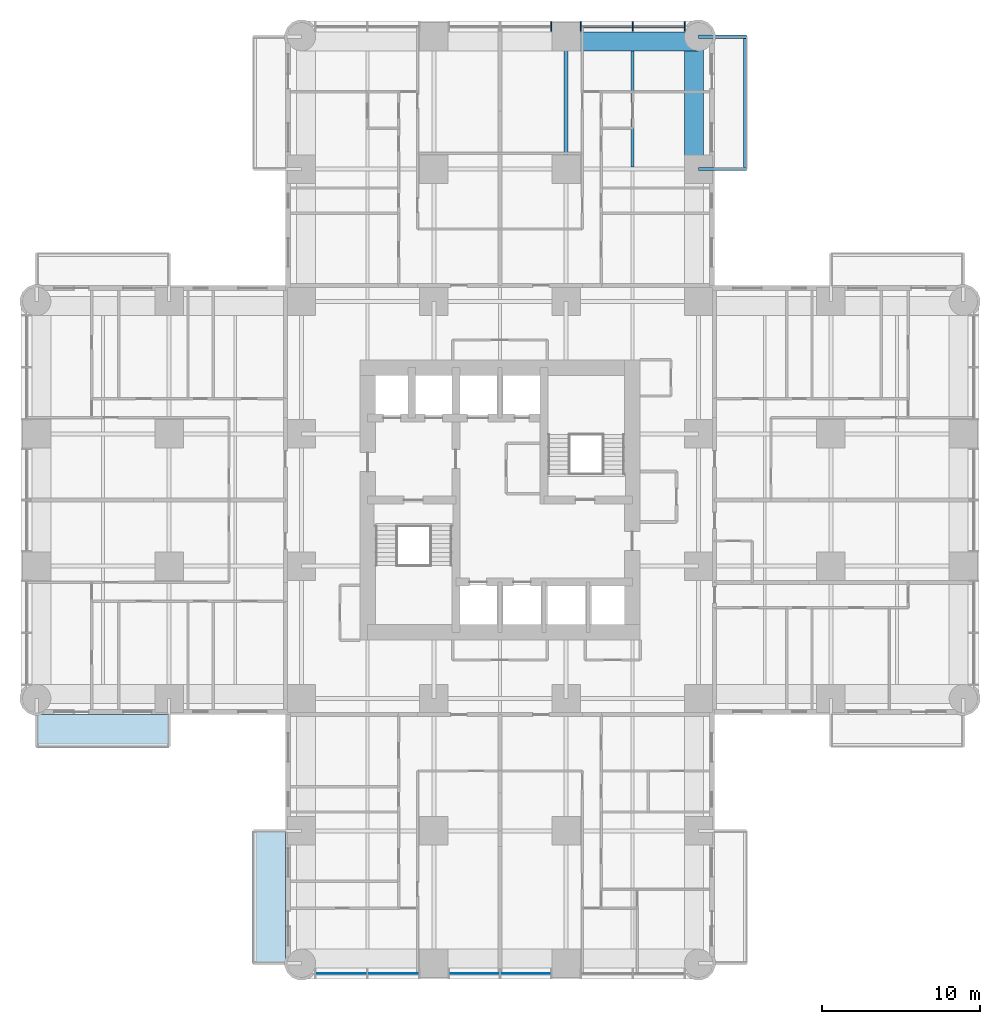
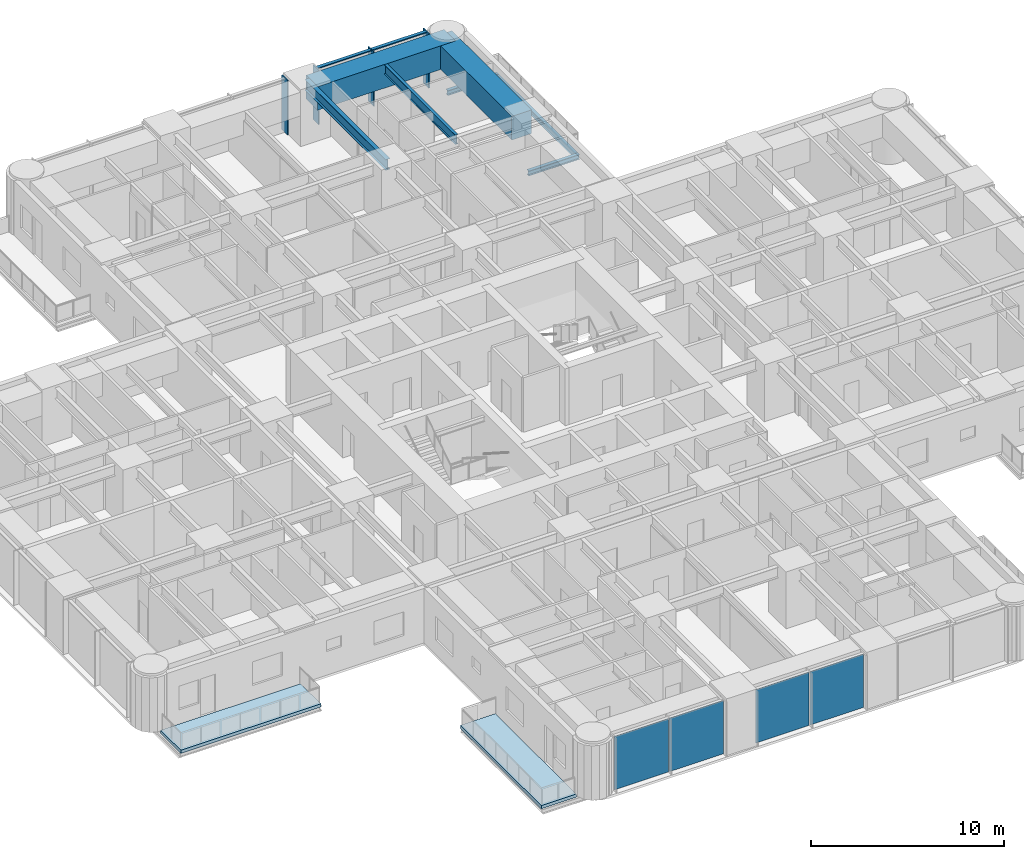
# One storey, part 5 of 17: 7 beams, 6 members, 4 plates, 2 slabs, 2 elements without a shape of their own.
"""IFC4 building model written with IfcOpenShell, lengths in metres."""

from ifc_helpers import new_model, si_unit, direction, frame, origin, origin_2d, place, context, subcontext, project, spatial, polyline, rectangle, i_section, outline, extrude, material, layer, layer_set, material_profile, profile_set, type_object, element, aggregate, save


model = new_model("IFC4")

# Units and contexts
model_context = context("Model", 3, precision=1e-05, world=origin(), true_north=direction((0.0, 1.0)))
body_context = subcontext(model_context, "Body", "Model", "MODEL_VIEW")
ifc_project = project(units=[si_unit("LENGTHUNIT", "METRE"), si_unit("AREAUNIT", "SQUARE_METRE"), si_unit("VOLUMEUNIT", "CUBIC_METRE"), si_unit("PLANEANGLEUNIT", "RADIAN"), si_unit("MASSUNIT", "GRAM", prefix="KILO")], contexts=[model_context])

# Site, building, storey
site_placement = place(None, origin())
site = spatial("IfcSite", under=ifc_project, at=site_placement, CompositionType="ELEMENT")
building_placement = place(site_placement, origin())
building = spatial("IfcBuilding", under=site, at=building_placement, Name="Torre Alcanfor", CompositionType="ELEMENT")
storey_placement = place(building_placement, frame((0.0, 0.0, 56.10009765625)))
storey = spatial("IfcBuildingStorey", under=building, at=storey_placement, Name="L13", CompositionType="ELEMENT", Elevation=56.10009765625)

# Beams
ifc_material_1 = material(Name="Steel ASTM A992 Grade 50", Category="steel")
ifc_material_profile_1 = material_profile(ifc_material_1, i_section(OverallWidth=0.205322265625, OverallDepth=0.309814453125, WebThickness=0.00927734375, FlangeThickness=0.016357421875, at=origin_2d()), Name="W12x50")
ifc_profile_set_1 = profile_set([ifc_material_profile_1], Name="Steel ASTM A992 Grade 50")
beam_type_1 = type_object("IfcBeamType", Name="Balcony cantilever beam W12x50", PredefinedType="BEAM", material=ifc_profile_set_1)
for number, where, z_axis, x_axis, name in (
    (1, (42.0, 50.39990234375, -0.35498046875), (1.0, 0.0, 0.0), (0.0, 1.0, 0.0), "Balcony cantilever beam L13-N2 1"),
    (2, (42.0, 58.800048828125, -0.35498046875), (1.0, 0.0, 0.0), (0.0, 1.0, 0.0), "Balcony cantilever beam L13-N2 2"),
):
    element("IfcBeam", number, at=place(storey_placement, frame(where, z_axis=z_axis, x_axis=x_axis)), inside=storey, type_object=beam_type_1, Name=name, PredefinedType="BEAM", context=body_context, shape_type="SweptSolid", body=[
        extrude(i_section(OverallWidth=0.205322265625, OverallDepth=0.309814453125, WebThickness=0.00927734375, FlangeThickness=0.016357421875, at=origin_2d()), origin(), (0.0, 0.0, 1.0), 3.050048828125),
    ])
ifc_material_2 = material(Name="Steel ASTM A992 Grade 50", Category="steel")
ifc_material_profile_2 = material_profile(ifc_material_2, i_section(OverallWidth=0.203369140625, OverallDepth=0.30224609375, WebThickness=0.007568359375, FlangeThickness=0.01318359375, at=origin_2d()), Name="W12x40")
ifc_profile_set_2 = profile_set([ifc_material_profile_2], Name="Steel ASTM A992 Grade 50")
beam_type_2 = type_object("IfcBeamType", Name="Balcony edge trimmer W12x40", PredefinedType="BEAM", material=ifc_profile_set_2)
beam_1_placement = place(storey_placement, frame((44.9482421875, 50.39990234375, -0.351318359375), z_axis=(0.0, 1.0, 0.0), x_axis=(-1.0, 0.0, 0.0)))
element("IfcBeam", 3, at=beam_1_placement, inside=storey, type_object=beam_type_2, Name="Balcony edge trimmer L13-N2", PredefinedType="BEAM", context=body_context, shape_type="SweptSolid", body=[
    extrude(i_section(OverallWidth=0.203369140625, OverallDepth=0.30224609375, WebThickness=0.007568359375, FlangeThickness=0.01318359375, at=origin_2d()), origin(), (0.0, 0.0, 1.0), 8.400146484375),
])

# Curtain wall, members
ifc_material_3 = material(Name="Aluminium and glass", Category="aluminium")
curtain_wall_type = type_object("IfcCurtainWallType", Name="CW-A unitised apartment glazing with vertical FIN", PredefinedType="NOTDEFINED", material=ifc_material_3)
curtain_wall_1_placement = place(storey_placement, origin())
curtain_wall_1 = element("IfcCurtainWall", 4, at=curtain_wall_1_placement, inside=storey, type_object=curtain_wall_type, Name="Curtain wall CW-A L13 11", PredefinedType="NOTDEFINED")
ifc_material_4 = material(Name="Bronze anodised aluminium", Category="aluminium")
ifc_material_profile_3 = material_profile(ifc_material_4, rectangle(XDim=0.60009765625, YDim=0.06494140625, at=origin_2d()), Name="CW-A mullion 65x600")
ifc_profile_set_3 = profile_set([ifc_material_profile_3], Name="Bronze anodised aluminium")
member_type_1 = type_object("IfcMemberType", Name="CW-A mullion with vertical FIN 65x600", PredefinedType="MULLION", material=ifc_profile_set_3)
member_1_placement = place(storey_placement, frame((41.133056640625, 59.449951171875, 0.0), z_axis=(0.0, 0.0, 1.0), x_axis=(0.0, -1.0, 0.0)))
member_1 = element("IfcMember", 5, at=member_1_placement, type_object=member_type_1, Name="CW-A mullion 1.1", PredefinedType="MULLION", context=body_context, shape_type="SweptSolid", body=[
    extrude(rectangle(XDim=0.60009765625, YDim=0.06494140625, at=origin_2d()), origin(), (0.0, 0.0, 1.0), 3.449951171875),
])
member_2_placement = place(storey_placement, frame((37.835205078125, 59.449951171875, 0.0), z_axis=(0.0, 0.0, 1.0), x_axis=(0.0, -1.0, 0.0)))
member_2 = element("IfcMember", 6, at=member_2_placement, type_object=member_type_1, Name="CW-A mullion 1.2", PredefinedType="MULLION", context=body_context, shape_type="SweptSolid", body=[
    extrude(rectangle(XDim=0.60009765625, YDim=0.06494140625, at=origin_2d()), origin(), (0.0, 0.0, 1.0), 3.449951171875),
])
member_3_placement = place(storey_placement, frame((34.53759765625, 59.449951171875, 0.0), z_axis=(0.0, 0.0, 1.0), x_axis=(0.0, -1.0, 0.0)))
member_3 = element("IfcMember", 7, at=member_3_placement, type_object=member_type_1, Name="CW-A mullion 1.3", PredefinedType="MULLION", context=body_context, shape_type="SweptSolid", body=[
    extrude(rectangle(XDim=0.60009765625, YDim=0.06494140625, at=origin_2d()), origin(), (0.0, 0.0, 1.0), 3.449951171875),
])
member_4_placement = place(storey_placement, frame((32.66259765625, 59.449951171875, 0.0), z_axis=(0.0, 0.0, 1.0), x_axis=(0.0, -1.0, 0.0)))
member_4 = element("IfcMember", 8, at=member_4_placement, type_object=member_type_1, Name="CW-A mullion 2.1", PredefinedType="MULLION", context=body_context, shape_type="SweptSolid", body=[
    extrude(rectangle(XDim=0.60009765625, YDim=0.06494140625, at=origin_2d()), origin(), (0.0, 0.0, 1.0), 3.449951171875),
])
ifc_material_5 = material(Name="Extruded aluminium", Category="aluminium")
ifc_material_profile_4 = material_profile(ifc_material_5, rectangle(XDim=0.199951171875, YDim=0.06494140625, at=origin_2d()), Name="CW-A transom 200x65")
ifc_profile_set_4 = profile_set([ifc_material_profile_4], Name="Extruded aluminium")
member_type_2 = type_object("IfcMemberType", Name="CW-A transom 65x200", PredefinedType="USERDEFINED", material=ifc_profile_set_4)
member_5_placement = place(storey_placement, frame((41.1005859375, 59.449951171875, 3.41748046875), z_axis=(-1.0, 0.0, 0.0), x_axis=(0.0, -1.0, 0.0)))
member_5 = element("IfcMember", 9, at=member_5_placement, type_object=member_type_2, Name="CW-A transom 1.1.2", ObjectType="TRANSOM", PredefinedType="USERDEFINED", context=body_context, shape_type="SweptSolid", body=[
    extrude(rectangle(XDim=0.199951171875, YDim=0.06494140625, at=origin_2d()), origin(), (0.0, 0.0, 1.0), 3.23291015625),
])
member_6_placement = place(storey_placement, frame((37.802734375, 59.449951171875, 3.41748046875), z_axis=(-1.0, 0.0, 0.0), x_axis=(0.0, -1.0, 0.0)))
member_6 = element("IfcMember", 10, at=member_6_placement, type_object=member_type_2, Name="CW-A transom 1.2.2", ObjectType="TRANSOM", PredefinedType="USERDEFINED", context=body_context, shape_type="SweptSolid", body=[
    extrude(rectangle(XDim=0.199951171875, YDim=0.06494140625, at=origin_2d()), origin(), (0.0, 0.0, 1.0), 3.232666015625),
])
aggregate(curtain_wall_1, [member_1, member_2, member_3, member_5, member_6, member_4])

# Beams
ifc_material_6 = material(Name="Steel ASTM A992 Grade 50", Category="steel")
ifc_material_profile_5 = material_profile(ifc_material_6, i_section(OverallWidth=0.25390625, OverallDepth=0.683349609375, WebThickness=0.012451171875, FlangeThickness=0.01904296875, at=origin_2d()), Name="W27x94")
ifc_profile_set_5 = profile_set([ifc_material_profile_5], Name="Steel ASTM A992 Grade 50")
beam_type_3 = type_object("IfcBeamType", Name="Girder W27x94", PredefinedType="BEAM", material=ifc_profile_set_5)
beam_2_placement = place(storey_placement, frame((33.60009765625, 50.39990234375, 3.108154296875), z_axis=(0.0, 1.0, 0.0), x_axis=(-1.0, 0.0, 0.0)))
element("IfcBeam", 11, at=beam_2_placement, inside=storey, type_object=beam_type_3, Name="Beam 5J-5K under L14", PredefinedType="BEAM", context=body_context, shape_type="SweptSolid", body=[
    extrude(i_section(OverallWidth=0.25390625, OverallDepth=0.683349609375, WebThickness=0.012451171875, FlangeThickness=0.01904296875, at=origin_2d()), origin(), (0.0, 0.0, 1.0), 8.400146484375),
])
ifc_material_7 = material(Name="Concrete f'c 70 MPa", Category="concrete")
ifc_material_profile_6 = material_profile(ifc_material_7, rectangle(XDim=1.199951171875, YDim=1.5, at=origin_2d()), Name="1200x1500")
ifc_profile_set_6 = profile_set([ifc_material_profile_6], Name="Concrete f'c 70 MPa")
beam_type_4 = type_object("IfcBeamType", Name="RC perimeter beam 1200x1500", PredefinedType="BEAM", material=ifc_profile_set_6)
for number, where, z_axis, x_axis, name in (
    (12, (33.72705078125, 58.5, 2.699951171875), (1.0, 0.0, 0.0), (0.0, 1.0, 0.0), "Beam 5K-6K under L14"),
    (13, (41.699951171875, 50.527099609375, 2.699951171875), (0.0, 1.0, 0.0), (-1.0, 0.0, 0.0), "Beam 6J-6K under L14"),
):
    element("IfcBeam", number, at=place(storey_placement, frame(where, z_axis=z_axis, x_axis=x_axis)), inside=storey, type_object=beam_type_4, Name=name, PredefinedType="BEAM", context=body_context, shape_type="SweptSolid", body=[
        extrude(rectangle(XDim=1.199951171875, YDim=1.5, at=origin_2d()), origin(), (0.0, 0.0, 1.0), 8.27294921875),
    ])
ifc_material_8 = material(Name="Steel ASTM A992 Grade 50", Category="steel")
ifc_material_profile_7 = material_profile(ifc_material_8, i_section(OverallWidth=0.1787109375, OverallDepth=0.60205078125, WebThickness=0.010986328125, FlangeThickness=0.014892578125, at=origin_2d()), Name="W24x62")
ifc_profile_set_7 = profile_set([ifc_material_profile_7], Name="Steel ASTM A992 Grade 50")
beam_type_5 = type_object("IfcBeamType", Name="Secondary beam W24x62", PredefinedType="BEAM", material=ifc_profile_set_7)
beam_3_placement = place(storey_placement, frame((37.800048828125, 50.527099609375, 3.14892578125), z_axis=(0.0, 1.0, 0.0), x_axis=(-1.0, 0.0, 0.0)))
element("IfcBeam", 14, at=beam_3_placement, inside=storey, type_object=beam_type_5, Name="Beam 37_8J-37_8K under L14", PredefinedType="BEAM", context=body_context, shape_type="SweptSolid", body=[
    extrude(i_section(OverallWidth=0.1787109375, OverallDepth=0.60205078125, WebThickness=0.010986328125, FlangeThickness=0.014892578125, at=origin_2d()), origin(), (0.0, 0.0, 1.0), 7.372802734375),
])

# Slabs
ifc_material_9 = material(Name="Concrete f'c 35 MPa", Category="concrete")
ifc_layer_1 = layer(ifc_material_9, 0.199951171875)
ifc_layer_set_1 = layer_set([ifc_layer_1], Name="Balcony slab 200")
slab_type = type_object("IfcSlabType", Name="Balcony slab 200", PredefinedType="FLOOR", material=ifc_layer_set_1)
slab_1_placement = place(storey_placement, frame((0.0, 0.0, -0.2001953125)))
element("IfcSlab", 15, at=slab_1_placement, inside=storey, type_object=slab_type, Name="Balcony L13-S2", PredefinedType="FLOOR", context=body_context, shape_type="SweptSolid", body=[
    extrude(outline(polyline([(13.699951171875, 8.39990234375), (13.699951171875, 0.0), (15.800048828125, 0.0), (15.800048828125, 8.39990234375), (13.699951171875, 8.39990234375)])), origin(), (0.0, 0.0, 1.0), 0.2001953125),
])
slab_2_placement = place(storey_placement, frame((0.0, 0.0, -0.2001953125)))
element("IfcSlab", 16, at=slab_2_placement, inside=storey, type_object=slab_type, Name="Balcony L13-W1", PredefinedType="FLOOR", context=body_context, shape_type="SweptSolid", body=[
    extrude(outline(polyline([(8.39990234375, 15.800048828125), (0.0, 15.800048828125), (0.0, 13.699951171875), (8.39990234375, 13.699951171875), (8.39990234375, 15.800048828125)])), origin(), (0.0, 0.0, 1.0), 0.2001953125),
])

# Curtain wall, plates
curtain_wall_2_placement = place(storey_placement, origin())
curtain_wall_2 = element("IfcCurtainWall", 17, at=curtain_wall_2_placement, inside=storey, type_object=curtain_wall_type, Name="Curtain wall CW-A L13 5", PredefinedType="NOTDEFINED")
ifc_material_10 = material(Name="Glass", Category="glass")
ifc_layer_2 = layer(ifc_material_10, 0.028076171875)
ifc_layer_set_2 = layer_set([ifc_layer_2], Name="CW-A clear double glazed unit")
plate_type = type_object("IfcPlateType", Name="CW-A clear double glazed unit", PredefinedType="CURTAIN_PANEL", material=ifc_layer_set_2)
plate_1_placement = place(storey_placement, frame((19.31591796875, -0.64990234375, 0.0), z_axis=(0.0, 0.0, 1.0), x_axis=(1.0, 0.0, 0.0)))
plate_1 = element("IfcPlate", 18, at=plate_1_placement, type_object=plate_type, Name="CW-A panel 1.1.1", PredefinedType="CURTAIN_PANEL", context=body_context, shape_type="SweptSolid", body=[
    extrude(rectangle(XDim=3.232666015625, YDim=0.028076171875, at=origin_2d()), origin(), (0.0, 0.0, 1.0), 3.385009765625),
])
plate_2_placement = place(storey_placement, frame((22.613525390625, -0.64990234375, 0.0), z_axis=(0.0, 0.0, 1.0), x_axis=(1.0, 0.0, 0.0)))
plate_2 = element("IfcPlate", 19, at=plate_2_placement, type_object=plate_type, Name="CW-A panel 1.2.1", PredefinedType="CURTAIN_PANEL", context=body_context, shape_type="SweptSolid", body=[
    extrude(rectangle(XDim=3.232666015625, YDim=0.028076171875, at=origin_2d()), origin(), (0.0, 0.0, 1.0), 3.385009765625),
])
plate_3_placement = place(storey_placement, frame((27.768798828125, -0.64990234375, 0.0), z_axis=(0.0, 0.0, 1.0), x_axis=(1.0, 0.0, 0.0)))
plate_3 = element("IfcPlate", 20, at=plate_3_placement, type_object=plate_type, Name="CW-A panel 2.1.1", PredefinedType="CURTAIN_PANEL", context=body_context, shape_type="SweptSolid", body=[
    extrude(rectangle(XDim=3.197509765625, YDim=0.028076171875, at=origin_2d()), origin(), (0.0, 0.0, 1.0), 3.385009765625),
])
plate_4_placement = place(storey_placement, frame((31.03125, -0.64990234375, 0.0), z_axis=(0.0, 0.0, 1.0), x_axis=(1.0, 0.0, 0.0)))
plate_4 = element("IfcPlate", 21, at=plate_4_placement, type_object=plate_type, Name="CW-A panel 2.2.1", PredefinedType="CURTAIN_PANEL", context=body_context, shape_type="SweptSolid", body=[
    extrude(rectangle(XDim=3.197509765625, YDim=0.028076171875, at=origin_2d()), origin(), (0.0, 0.0, 1.0), 3.385009765625),
])
aggregate(curtain_wall_2, [plate_1, plate_2, plate_3, plate_4])

save(model, "model.ifc")
